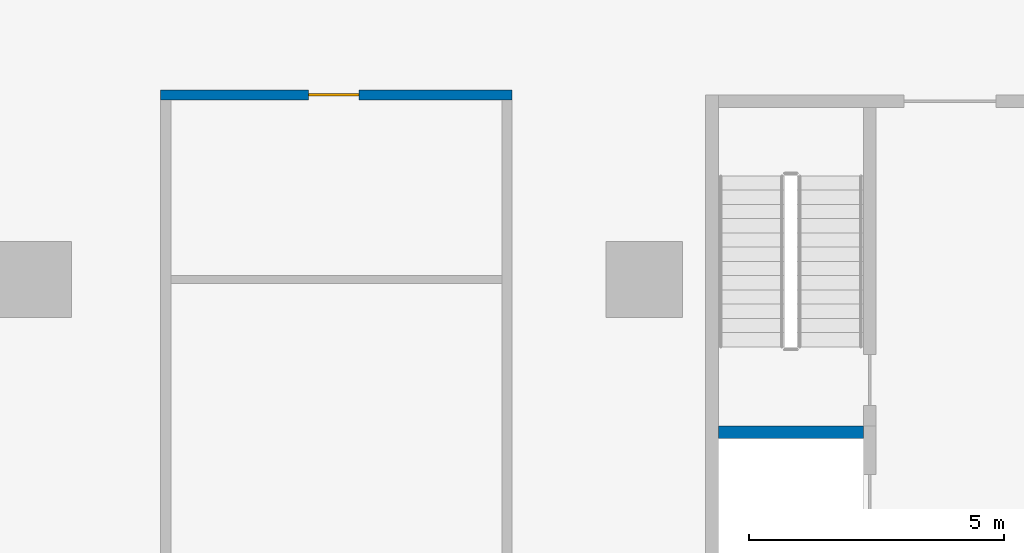
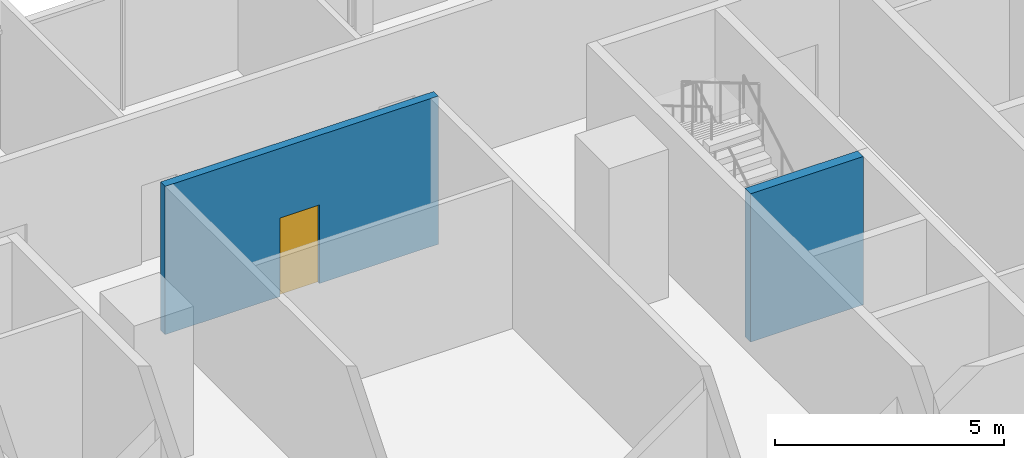
# One storey, part 15 of 30: 2 walls, 1 door, 1 opening.
"""IFC4 building model written with IfcOpenShell, lengths in metres."""

from ifc_helpers import new_model, si_unit, direction, frame, frame_2d, origin, place, context, subcontext, project, spatial, rectangle, extrude, material, layer, layer_set, type_object, element, fill, save


model = new_model("IFC4")

# Units and contexts
model_context = context("Model", 3, precision=1e-05, world=origin(), true_north=direction((0.0, 1.0)))
body_context = subcontext(model_context, "Body", "Model", "MODEL_VIEW")
ifc_project = project(units=[si_unit("LENGTHUNIT", "METRE"), si_unit("AREAUNIT", "SQUARE_METRE"), si_unit("VOLUMEUNIT", "CUBIC_METRE"), si_unit("PLANEANGLEUNIT", "RADIAN"), si_unit("MASSUNIT", "GRAM", prefix="KILO")], contexts=[model_context])

# Site, building, storey
site_placement = place(None, origin())
site = spatial("IfcSite", under=ifc_project, at=site_placement, CompositionType="ELEMENT")
building_placement = place(site_placement, origin())
building = spatial("IfcBuilding", under=site, at=building_placement, Name="Mahtab Terrace Research Tower", CompositionType="ELEMENT")
storey_placement = place(building_placement, frame((0.0, 0.0, 50.300048828125)))
storey = spatial("IfcBuildingStorey", under=building, at=storey_placement, Name="L11", CompositionType="ELEMENT", Elevation=50.300048828125)

# Wall
ifc_material_1 = material(Name="Concrete C70/85", Category="concrete")
ifc_layer_1 = layer(ifc_material_1, 0.25)
ifc_layer_set_1 = layer_set([ifc_layer_1], Name="Core wall 250")
wall_type_1 = type_object("IfcWallType", Name="Core wall 250", PredefinedType="SOLIDWALL", material=ifc_layer_set_1)
wall_1_placement = place(storey_placement, frame((19.449951171875, 8.5, 0.0), z_axis=(0.0, 0.0, 1.0), x_axis=(1.0, 0.0, 0.0)))
element("IfcWall", 1, at=wall_1_placement, inside=storey, type_object=wall_type_1, Name="Core wall C divW4", PredefinedType="SOLIDWALL", context=body_context, shape_type="SweptSolid", body=[
    extrude(rectangle(XDim=2.85009765625, YDim=0.25, at=frame_2d((1.425048828125, 0.0))), origin(), (0.0, 0.0, 1.0), 3.9599609375),
])

# Wall, opening, door
ifc_material_2 = material(Name="Gypsum board corridor wall on steel studs", Category="steel")
ifc_layer_2 = layer(ifc_material_2, 0.199951171875)
ifc_layer_set_2 = layer_set([ifc_layer_2], Name="WALL CORRIDOR 200")
wall_type_2 = type_object("IfcWallType", Name="WALL CORRIDOR 200", PredefinedType="PARTITIONING", material=ifc_layer_set_2)
wall_2_placement = place(storey_placement, frame((8.5, 15.125, 0.0), z_axis=(0.0, 0.0, 1.0), x_axis=(1.0, 0.0, 0.0)))
wall_2 = element("IfcWall", 2, at=wall_2_placement, inside=storey, type_object=wall_type_2, Name="L11-W024", PredefinedType="PARTITIONING", context=body_context, shape_type="SweptSolid", body=[
    extrude(rectangle(XDim=6.89990234375, YDim=0.199951171875, at=frame_2d((3.449951171875, 0.0))), origin(), (0.0, 0.0, 1.0), 3.9599609375),
])
opening_placement = place(wall_2_placement, frame((2.89990234375, 0.0, 0.0)))
opening = element("IfcOpeningElement", 3, at=opening_placement, cuts=wall_2, Name="Opening L11-128", PredefinedType="OPENING", context=body_context, shape_type="SweptSolid", body=[
    extrude(rectangle(XDim=1.0, YDim=2.10009765625, at=frame_2d((0.5, 1.050048828125))), frame((0.0, 0.10986328125, 0.0), z_axis=(0.0, -1.0, 0.0), x_axis=(1.0, 0.0, 0.0)), (0.0, 0.0, 1.0), 0.219970703125),
])
ifc_material_3 = material(Name="Timber door leaf in steel frame", Category="steel")
door_type = type_object("IfcDoorType", Name="DOOR 1000X2100 FD30S", OperationType="SINGLE_SWING_LEFT", PredefinedType="DOOR", material=ifc_material_3)
door_placement = place(opening_placement, origin())
door = element("IfcDoor", 4, at=door_placement, inside=storey, type_object=door_type, Name="Door L11-128", OperationType="SINGLE_SWING_RIGHT", OverallHeight=2.10009765625, OverallWidth=1.0, PredefinedType="DOOR", context=body_context, shape_type="SweptSolid", body=[
    extrude(rectangle(XDim=1.0, YDim=2.10009765625, at=frame_2d((0.5, 1.050048828125))), frame((0.0, 0.02490234375, 0.0), z_axis=(0.0, -1.0, 0.0), x_axis=(1.0, 0.0, 0.0)), (0.0, 0.0, 1.0), 0.050048828125),
])
fill(opening, door)

save(model, "model.ifc")
